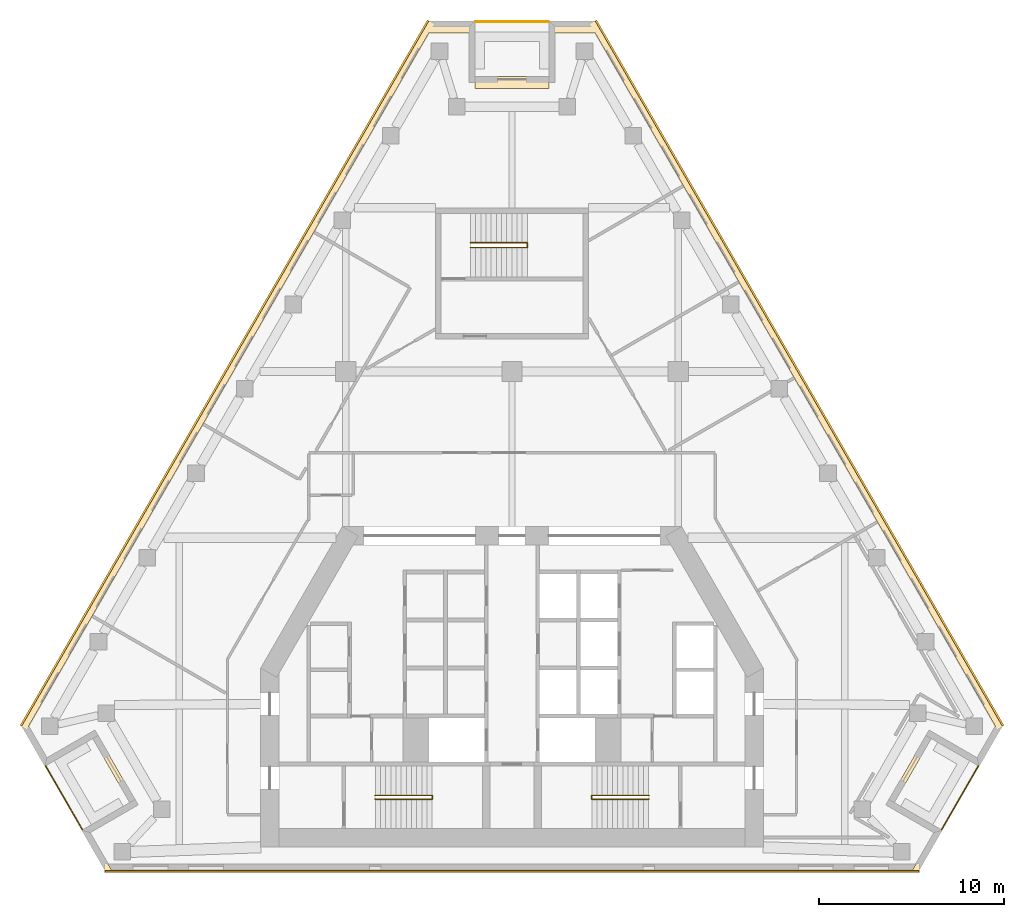
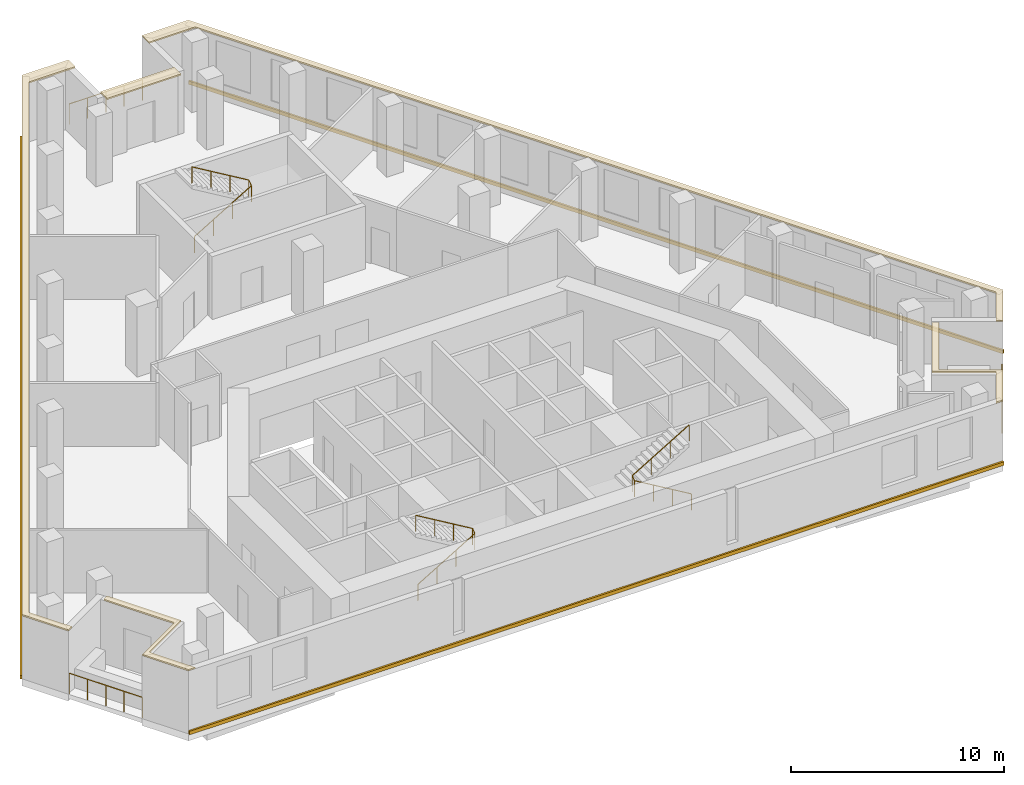
# One storey, part 8 of 8: 8 coverings, 6 railings.
"""IFC4 building model written with IfcOpenShell, lengths in metres."""

from ifc_helpers import new_model, si_unit, direction, frame, origin, origin_2d, place, context, subcontext, project, spatial, polyline, circle, outline, extrude, material, layer, layer_set, type_object, element, save


model = new_model("IFC4")

# Units and contexts
model_context = context("Model", 3, precision=1e-05, world=origin(), true_north=direction((0.0, 1.0)))
body_context = subcontext(model_context, "Body", "Model", "MODEL_VIEW")
ifc_project = project(units=[si_unit("LENGTHUNIT", "METRE"), si_unit("AREAUNIT", "SQUARE_METRE"), si_unit("VOLUMEUNIT", "CUBIC_METRE"), si_unit("PLANEANGLEUNIT", "RADIAN"), si_unit("MASSUNIT", "GRAM", prefix="KILO")], contexts=[model_context])

# Site, building, storey
site_placement = place(None, origin())
site = spatial("IfcSite", under=ifc_project, at=site_placement, CompositionType="ELEMENT")
building_placement = place(site_placement, origin())
building = spatial("IfcBuilding", under=site, at=building_placement, Name="Fogline Exchange Tower", CompositionType="ELEMENT")
storey_placement = place(building_placement, frame((0.0, 0.0, 243.5)))
storey = spatial("IfcBuildingStorey", under=building, at=storey_placement, Name="L55", CompositionType="ELEMENT", Elevation=243.5)

# Coverings
ifc_material_1 = material(Name="Granite", Category="masonry")
ifc_layer = layer(ifc_material_1, 0.080078125)
ifc_layer_set = layer_set([ifc_layer], Name="CP1")
covering_type_1 = type_object("IfcCoveringType", Name="CP1", PredefinedType="USERDEFINED", material=ifc_layer_set)
covering_1_placement = place(storey_placement, frame((0.0, 0.0, 3.60009765625)))
element("IfcCovering", 1, at=covering_1_placement, inside=storey, type_object=covering_type_1, Name="Ledge coping L55", ObjectType="COPING", PredefinedType="USERDEFINED", context=body_context, shape_type="SweptSolid", body=[
    extrude(outline(polyline([(-25.291748046875, 5.629150390625), (-25.012451171875, 5.790283203125), (-26.16943359375, 7.794189453125), (-4.5, 45.32666015625), (-2.0, 45.32666015625), (-2.0, 45.9716796875), (-4.5, 45.9716796875), (-26.541748046875, 7.794189453125), (-25.291748046875, 5.629150390625)])), origin(), (0.0, 0.0, 1.0), 0.079833984375),
])
covering_2_placement = place(storey_placement, frame((0.0, 0.0, 3.60009765625)))
element("IfcCovering", 2, at=covering_2_placement, inside=storey, type_object=covering_type_1, Name="Ledge coping L55", ObjectType="COPING", PredefinedType="USERDEFINED", context=body_context, shape_type="SweptSolid", body=[
    extrude(outline(polyline([(-22.041748046875, 0.0), (-21.66943359375, 0.0), (-22.91943359375, 2.1650390625), (-20.3212890625, 3.6650390625), (-22.3212890625, 7.129150390625), (-22.6005859375, 6.968017578125), (-20.693603515625, 3.6650390625), (-23.291748046875, 2.1650390625), (-22.041748046875, 0.0)])), origin(), (0.0, 0.0, 1.0), 0.079833984375),
])
covering_3_placement = place(storey_placement, frame((0.0, 0.0, 3.60009765625)))
element("IfcCovering", 3, at=covering_3_placement, inside=storey, type_object=covering_type_1, Name="Ledge coping L55", ObjectType="COPING", PredefinedType="USERDEFINED", context=body_context, shape_type="SweptSolid", body=[
    extrude(outline(polyline([(20.693603515625, 3.6650390625), (22.6005859375, 6.968017578125), (22.3212890625, 7.129150390625), (20.3212890625, 3.6650390625), (22.91943359375, 2.1650390625), (21.66943359375, 0.0), (22.041748046875, 0.0), (23.291748046875, 2.1650390625), (20.693603515625, 3.6650390625)])), origin(), (0.0, 0.0, 1.0), 0.079833984375),
])
covering_4_placement = place(storey_placement, frame((0.0, 0.0, 3.60009765625)))
element("IfcCovering", 4, at=covering_4_placement, inside=storey, type_object=covering_type_1, Name="Ledge coping L55", ObjectType="COPING", PredefinedType="USERDEFINED", context=body_context, shape_type="SweptSolid", body=[
    extrude(outline(polyline([(2.0, 45.9716796875), (2.0, 45.32666015625), (4.5, 45.32666015625), (26.16943359375, 7.794189453125), (25.012451171875, 5.790283203125), (25.291748046875, 5.629150390625), (26.541748046875, 7.794189453125), (4.5, 45.9716796875), (2.0, 45.9716796875)])), origin(), (0.0, 0.0, 1.0), 0.079833984375),
])
covering_5_placement = place(storey_placement, frame((0.0, 0.0, 3.60009765625)))
element("IfcCovering", 5, at=covering_5_placement, inside=storey, type_object=covering_type_1, Name="Ledge coping L55", ObjectType="COPING", PredefinedType="USERDEFINED", context=body_context, shape_type="SweptSolid", body=[
    extrude(outline(polyline([(2.0, 42.9716796875), (-2.0, 42.9716796875), (-2.0, 42.32666015625), (2.0, 42.32666015625), (2.0, 42.9716796875)])), origin(), (0.0, 0.0, 1.0), 0.079833984375),
])

# Railings
ifc_material_2 = material(Name="Stainless steel 304", Category="steel")
railing_type_1 = type_object("IfcRailingType", Name="G1", PredefinedType="GUARDRAIL", material=ifc_material_2)
railing_1_placement = place(storey_placement, frame((-25.23779296875, 5.635986328125, 0.0)))
element("IfcRailing", 6, at=railing_1_placement, inside=storey, type_object=railing_type_1, Name="Balcony guard L55 SW", PredefinedType="GUARDRAIL", context=body_context, shape_type="SweptSolid", body=[
    extrude(circle(Radius=0.02392578125, at=origin_2d()), frame((0.0, 0.0, 1.17578125), z_axis=(0.500000102728, -0.866025344474, 0.0), x_axis=(0.866025344474, 0.500000102728, 0.0)), (0.0, 0.0, 1.0), 3.9580078125),
    extrude(circle(Radius=0.02099609375, at=origin_2d()), origin(), (0.0, 0.0, 1.0), 1.15185546875),
    extrude(circle(Radius=0.02099609375, at=origin_2d()), frame((0.49462890625, -0.85693359375, 0.0)), (0.0, 0.0, 1.0), 1.15185546875),
    extrude(circle(Radius=0.02099609375, at=origin_2d()), frame((0.989501953125, -1.7138671875, 0.0)), (0.0, 0.0, 1.0), 1.15185546875),
    extrude(circle(Radius=0.02099609375, at=origin_2d()), frame((1.484375, -2.57080078125, 0.0)), (0.0, 0.0, 1.0), 1.15185546875),
    extrude(circle(Radius=0.02099609375, at=origin_2d()), frame((1.97900390625, -3.427734375, 0.0)), (0.0, 0.0, 1.0), 1.15185546875),
])
railing_2_placement = place(storey_placement, frame((23.2587890625, 2.208251953125, 0.0)))
element("IfcRailing", 7, at=railing_2_placement, inside=storey, type_object=railing_type_1, Name="Balcony guard L55 SE", PredefinedType="GUARDRAIL", context=body_context, shape_type="SweptSolid", body=[
    extrude(circle(Radius=0.02392578125, at=origin_2d()), frame((0.0, 0.0, 1.17578125), z_axis=(0.500000102728, 0.866025344474, 0.0), x_axis=(-0.866025344474, 0.500000102728, 0.0)), (0.0, 0.0, 1.0), 3.9580078125),
    extrude(circle(Radius=0.02099609375, at=origin_2d()), origin(), (0.0, 0.0, 1.0), 1.15185546875),
    extrude(circle(Radius=0.02099609375, at=origin_2d()), frame((0.49462890625, 0.85693359375, 0.0)), (0.0, 0.0, 1.0), 1.15185546875),
    extrude(circle(Radius=0.02099609375, at=origin_2d()), frame((0.989501953125, 1.7138671875, 0.0)), (0.0, 0.0, 1.0), 1.15185546875),
    extrude(circle(Radius=0.02099609375, at=origin_2d()), frame((1.484375, 2.57080078125, 0.0)), (0.0, 0.0, 1.0), 1.15185546875),
    extrude(circle(Radius=0.02099609375, at=origin_2d()), frame((1.97900390625, 3.427734375, 0.0)), (0.0, 0.0, 1.0), 1.15185546875),
])
railing_3_placement = place(storey_placement, frame((1.97900390625, 45.921630859375, 0.0)))
element("IfcRailing", 8, at=railing_3_placement, inside=storey, type_object=railing_type_1, Name="Balcony guard L55 N", PredefinedType="GUARDRAIL", context=body_context, shape_type="SweptSolid", body=[
    extrude(circle(Radius=0.02392578125, at=origin_2d()), frame((0.0, 0.0, 1.17578125), z_axis=(-1.0, 0.0, 0.0), x_axis=(0.0, -1.0, 0.0)), (0.0, 0.0, 1.0), 3.9580078125),
    extrude(circle(Radius=0.02099609375, at=origin_2d()), origin(), (0.0, 0.0, 1.0), 1.15185546875),
    extrude(circle(Radius=0.02099609375, at=origin_2d()), frame((-0.989501953125, 0.0, 0.0)), (0.0, 0.0, 1.0), 1.15185546875),
    extrude(circle(Radius=0.02099609375, at=origin_2d()), frame((-1.97900390625, 0.0, 0.0)), (0.0, 0.0, 1.0), 1.15185546875),
    extrude(circle(Radius=0.02099609375, at=origin_2d()), frame((-2.968505859375, 0.0, 0.0)), (0.0, 0.0, 1.0), 1.15185546875),
    extrude(circle(Radius=0.02099609375, at=origin_2d()), frame((-3.9580078125, 0.0, 0.0)), (0.0, 0.0, 1.0), 1.15185546875),
])
ifc_material_3 = material(Name="Steel Q235B", Category="steel")
railing_type_2 = type_object("IfcRailingType", Name="RL-HR", PredefinedType="HANDRAIL", material=ifc_material_3)
railing_4_placement = place(storey_placement, frame((-7.39990234375, 3.85009765625, 0.166748046875)))
element("IfcRailing", 9, at=railing_4_placement, inside=storey, type_object=railing_type_2, Name="Handrail ST1", PredefinedType="HANDRAIL", context=body_context, shape_type="SweptSolid", body=[
    extrude(circle(Radius=0.02392578125, at=origin_2d()), frame((0.0, 0.0, 0.92578125), z_axis=(0.859290745958, 0.0, 0.51148745235), x_axis=(0.0, 1.0, 0.0)), (0.0, 0.0, 1.0), 3.584228515625),
    extrude(circle(Radius=0.02392578125, at=origin_2d()), frame((3.079833984375, 0.0, 2.75927734375), z_axis=(0.0, 0.767990643491, 0.640461061666), x_axis=(-1.0, 0.0, 0.0)), (0.0, 0.0, 1.0), 0.26025390625),
    extrude(circle(Radius=0.02392578125, at=origin_2d()), frame((3.079833984375, 0.199951171875, 2.92578125), z_axis=(-0.859290745958, 0.0, 0.51148745235), x_axis=(0.0, -1.0, 0.0)), (0.0, 0.0, 1.0), 3.584228515625),
    extrude(circle(Radius=0.02099609375, at=origin_2d()), origin(), (0.0, 0.0, 1.0), 0.90185546875),
    extrude(circle(Radius=0.02099609375, at=origin_2d()), frame((1.026611328125, 0.0, 0.611083984375)), (0.0, 0.0, 1.0), 0.90185546875),
    extrude(circle(Radius=0.02099609375, at=origin_2d()), frame((2.05322265625, 0.0, 1.22216796875)), (0.0, 0.0, 1.0), 0.90185546875),
    extrude(circle(Radius=0.02099609375, at=origin_2d()), frame((3.079833984375, 0.0, 1.833251953125)), (0.0, 0.0, 1.0), 0.90185546875),
    extrude(circle(Radius=0.02099609375, at=origin_2d()), frame((3.079833984375, 0.199951171875, 2.0)), (0.0, 0.0, 1.0), 0.90185546875),
    extrude(circle(Radius=0.02099609375, at=origin_2d()), frame((2.05322265625, 0.199951171875, 2.611083984375)), (0.0, 0.0, 1.0), 0.90185546875),
    extrude(circle(Radius=0.02099609375, at=origin_2d()), frame((1.026611328125, 0.199951171875, 3.22216796875)), (0.0, 0.0, 1.0), 0.90185546875),
    extrude(circle(Radius=0.02099609375, at=origin_2d()), frame((0.0, 0.199951171875, 3.833251953125)), (0.0, 0.0, 1.0), 0.90185546875),
])
railing_5_placement = place(storey_placement, frame((7.39990234375, 3.85009765625, 0.166748046875)))
element("IfcRailing", 10, at=railing_5_placement, inside=storey, type_object=railing_type_2, Name="Handrail ST2", PredefinedType="HANDRAIL", context=body_context, shape_type="SweptSolid", body=[
    extrude(circle(Radius=0.02392578125, at=origin_2d()), frame((0.0, 0.0, 0.92578125), z_axis=(-0.859290745958, 0.0, 0.51148745235), x_axis=(0.0, -1.0, 0.0)), (0.0, 0.0, 1.0), 3.584228515625),
    extrude(circle(Radius=0.02392578125, at=origin_2d()), frame((-3.079833984375, 0.0, 2.75927734375), z_axis=(0.0, 0.767990643491, 0.640461061666), x_axis=(-1.0, 0.0, 0.0)), (0.0, 0.0, 1.0), 0.26025390625),
    extrude(circle(Radius=0.02392578125, at=origin_2d()), frame((-3.079833984375, 0.199951171875, 2.92578125), z_axis=(0.859290745958, 0.0, 0.51148745235), x_axis=(0.0, 1.0, 0.0)), (0.0, 0.0, 1.0), 3.584228515625),
    extrude(circle(Radius=0.02099609375, at=origin_2d()), origin(), (0.0, 0.0, 1.0), 0.90185546875),
    extrude(circle(Radius=0.02099609375, at=origin_2d()), frame((-1.026611328125, 0.0, 0.611083984375)), (0.0, 0.0, 1.0), 0.90185546875),
    extrude(circle(Radius=0.02099609375, at=origin_2d()), frame((-2.05322265625, 0.0, 1.22216796875)), (0.0, 0.0, 1.0), 0.90185546875),
    extrude(circle(Radius=0.02099609375, at=origin_2d()), frame((-3.079833984375, 0.0, 1.833251953125)), (0.0, 0.0, 1.0), 0.90185546875),
    extrude(circle(Radius=0.02099609375, at=origin_2d()), frame((-3.079833984375, 0.199951171875, 2.0)), (0.0, 0.0, 1.0), 0.90185546875),
    extrude(circle(Radius=0.02099609375, at=origin_2d()), frame((-2.05322265625, 0.199951171875, 2.611083984375)), (0.0, 0.0, 1.0), 0.90185546875),
    extrude(circle(Radius=0.02099609375, at=origin_2d()), frame((-1.026611328125, 0.199951171875, 3.22216796875)), (0.0, 0.0, 1.0), 0.90185546875),
    extrude(circle(Radius=0.02099609375, at=origin_2d()), frame((0.0, 0.199951171875, 3.833251953125)), (0.0, 0.0, 1.0), 0.90185546875),
])
railing_6_placement = place(storey_placement, frame((-2.25, 33.70703125, 0.166748046875)))
element("IfcRailing", 11, at=railing_6_placement, inside=storey, type_object=railing_type_2, Name="Handrail ST3", PredefinedType="HANDRAIL", context=body_context, shape_type="SweptSolid", body=[
    extrude(circle(Radius=0.02392578125, at=origin_2d()), frame((0.0, 0.0, 0.92578125), z_axis=(0.859308565015, 0.0, 0.511457515432), x_axis=(0.0, 1.0, 0.0)), (0.0, 0.0, 1.0), 3.58447265625),
    extrude(circle(Radius=0.02392578125, at=origin_2d()), frame((3.080078125, 0.0, 2.75927734375), z_axis=(0.0, 0.831925284441, 0.554887665306), x_axis=(-1.0, 0.0, 0.0)), (0.0, 0.0, 1.0), 0.300537109375),
    extrude(circle(Radius=0.02392578125, at=origin_2d()), frame((3.080078125, 0.25, 2.92578125), z_axis=(-0.859308565015, 0.0, 0.511457515432), x_axis=(0.0, -1.0, 0.0)), (0.0, 0.0, 1.0), 3.58447265625),
    extrude(circle(Radius=0.02099609375, at=origin_2d()), origin(), (0.0, 0.0, 1.0), 0.90185546875),
    extrude(circle(Radius=0.02099609375, at=origin_2d()), frame((1.026611328125, 0.0, 0.611083984375)), (0.0, 0.0, 1.0), 0.90185546875),
    extrude(circle(Radius=0.02099609375, at=origin_2d()), frame((2.053466796875, 0.0, 1.22216796875)), (0.0, 0.0, 1.0), 0.90185546875),
    extrude(circle(Radius=0.02099609375, at=origin_2d()), frame((3.080078125, 0.0, 1.833251953125)), (0.0, 0.0, 1.0), 0.90185546875),
    extrude(circle(Radius=0.02099609375, at=origin_2d()), frame((3.080078125, 0.25, 2.0)), (0.0, 0.0, 1.0), 0.90185546875),
    extrude(circle(Radius=0.02099609375, at=origin_2d()), frame((2.053466796875, 0.25, 2.611083984375)), (0.0, 0.0, 1.0), 0.90185546875),
    extrude(circle(Radius=0.02099609375, at=origin_2d()), frame((1.026611328125, 0.25, 3.22216796875)), (0.0, 0.0, 1.0), 0.90185546875),
    extrude(circle(Radius=0.02099609375, at=origin_2d()), frame((0.0, 0.25, 3.833251953125)), (0.0, 0.0, 1.0), 0.90185546875),
])

# Coverings
ifc_material_4 = material(Name="Brick masonry", Category="masonry")
covering_type_2 = type_object("IfcCoveringType", Name="SB1", PredefinedType="CLADDING", material=ifc_material_4)
covering_6_placement = place(storey_placement, origin())
element("IfcCovering", 12, at=covering_6_placement, inside=storey, type_object=covering_type_2, Name="Stringcourse band L55 S", PredefinedType="CLADDING", context=body_context, shape_type="SweptSolid", body=[
    extrude(outline(polyline([(-22.041748046875, 0.0), (-22.041748046875, -0.10009765625), (22.041748046875, -0.10009765625), (22.041748046875, 0.0), (-22.041748046875, 0.0)])), origin(), (0.0, 0.0, 1.0), 0.199951171875),
])
covering_7_placement = place(storey_placement, origin())
element("IfcCovering", 13, at=covering_7_placement, inside=storey, type_object=covering_type_2, Name="Stringcourse band L55 E", PredefinedType="CLADDING", context=body_context, shape_type="SweptSolid", body=[
    extrude(outline(polyline([(26.541748046875, 7.794189453125), (26.62841796875, 7.84423828125), (4.586669921875, 46.021728515625), (4.5, 45.9716796875), (26.541748046875, 7.794189453125)])), origin(), (0.0, 0.0, 1.0), 0.199951171875),
])
covering_8_placement = place(storey_placement, origin())
element("IfcCovering", 14, at=covering_8_placement, inside=storey, type_object=covering_type_2, Name="Stringcourse band L55 W", PredefinedType="CLADDING", context=body_context, shape_type="SweptSolid", body=[
    extrude(outline(polyline([(-4.5, 45.9716796875), (-4.586669921875, 46.021728515625), (-26.62841796875, 7.84423828125), (-26.541748046875, 7.794189453125), (-4.5, 45.9716796875)])), origin(), (0.0, 0.0, 1.0), 0.199951171875),
])

save(model, "model.ifc")
